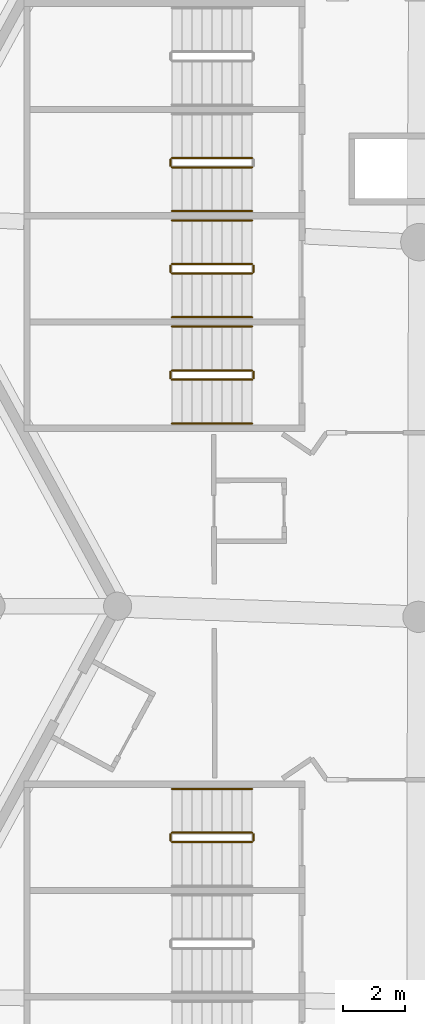
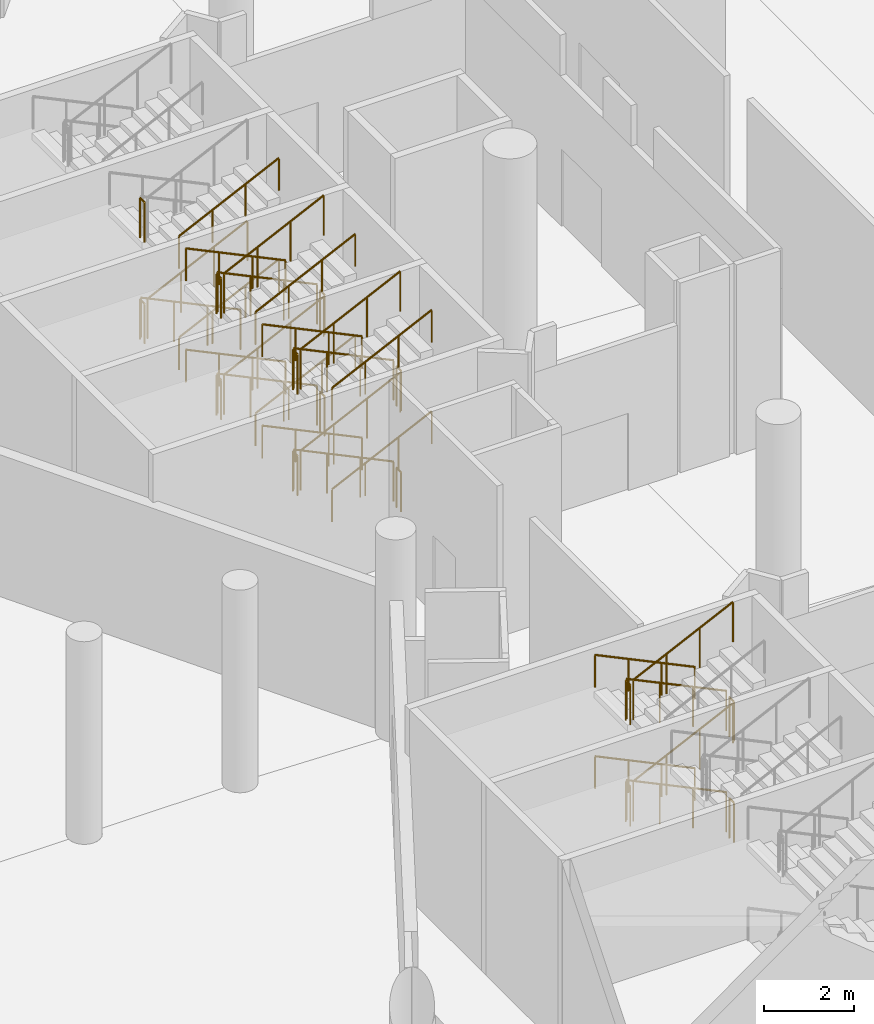
# One storey, part 249 of 271: 40 railings.
"""IFC4 building model written with IfcOpenShell, lengths in metres."""

from ifc_helpers import new_model, si_unit, direction, frame, origin, origin_2d, place, context, subcontext, project, spatial, circle, extrude, material, type_object, element, save


model = new_model("IFC4")

# Units and contexts
model_context = context("Model", 3, precision=1e-05, world=origin(), true_north=direction((0.0, 1.0)))
body_context = subcontext(model_context, "Body", "Model", "MODEL_VIEW")
ifc_project = project(units=[si_unit("LENGTHUNIT", "METRE"), si_unit("AREAUNIT", "SQUARE_METRE"), si_unit("VOLUMEUNIT", "CUBIC_METRE"), si_unit("PLANEANGLEUNIT", "RADIAN"), si_unit("MASSUNIT", "GRAM", prefix="KILO")], contexts=[model_context])

# Site, building, storey
site_placement = place(None, origin())
site = spatial("IfcSite", under=ifc_project, at=site_placement, CompositionType="ELEMENT")
building_placement = place(site_placement, origin())
building = spatial("IfcBuilding", under=site, at=building_placement, Name="Meseta Stadium", CompositionType="ELEMENT")
storey_placement = place(building_placement, frame((0.0, 0.0, 6.5)))
storey = spatial("IfcBuildingStorey", under=building, at=storey_placement, Name="L01", CompositionType="ELEMENT", Elevation=6.5)

# Railings
ifc_material_1 = material(Name="Steel S355", Category="steel")
railing_type_1 = type_object("IfcRailingType", Name="Stair guard 1100", PredefinedType="GUARDRAIL", material=ifc_material_1)
railing_1_placement = place(storey_placement, frame((-90.300048828125, 33.10009765625, 0.15283203125)))
element("IfcRailing", 1, at=railing_1_placement, inside=storey, type_object=railing_type_1, Name="ST62 L01 guard 1", PredefinedType="GUARDRAIL", context=body_context, shape_type="SweptSolid", body=[
    extrude(circle(Radius=0.02392578125, at=origin_2d()), frame((0.0, 0.0, 1.076171875), z_axis=(-0.902436934422, 0.0, 0.430821981091), x_axis=(0.0, -1.0, 0.0)), (0.0, 0.0, 1.0), 2.8369140625),
    extrude(circle(Radius=0.02099609375, at=origin_2d()), origin(), (0.0, 0.0, 1.0), 1.052001953125),
    extrude(circle(Radius=0.02099609375, at=origin_2d()), frame((-0.853271484375, 0.0, 0.407470703125)), (0.0, 0.0, 1.0), 1.052001953125),
    extrude(circle(Radius=0.02099609375, at=origin_2d()), frame((-1.706787109375, 0.0, 0.814697265625)), (0.0, 0.0, 1.0), 1.052001953125),
    extrude(circle(Radius=0.02099609375, at=origin_2d()), frame((-2.56005859375, 0.0, 1.22216796875)), (0.0, 0.0, 1.0), 1.052001953125),
])
railing_2_placement = place(storey_placement, frame((-92.909912109375, 33.050048828125, 1.375)))
element("IfcRailing", 2, at=railing_2_placement, inside=storey, type_object=railing_type_1, Name="ST62 L01 guard 2", PredefinedType="GUARDRAIL", context=body_context, shape_type="SweptSolid", body=[
    extrude(circle(Radius=0.02392578125, at=origin_2d()), frame((0.0, 0.0, 1.076171875), z_axis=(0.0, -1.0, 0.0), x_axis=(1.0, 0.0, 0.0)), (0.0, 0.0, 1.0), 0.199951171875),
    extrude(circle(Radius=0.02099609375, at=origin_2d()), origin(), (0.0, 0.0, 1.0), 1.052001953125),
    extrude(circle(Radius=0.02099609375, at=origin_2d()), frame((0.0, -0.199951171875, 0.0)), (0.0, 0.0, 1.0), 1.052001953125),
])
railing_3_placement = place(storey_placement, frame((-92.860107421875, 32.800048828125, 1.52783203125)))
element("IfcRailing", 3, at=railing_3_placement, inside=storey, type_object=railing_type_1, Name="ST62 L01 guard 3", PredefinedType="GUARDRAIL", context=body_context, shape_type="SweptSolid", body=[
    extrude(circle(Radius=0.02392578125, at=origin_2d()), frame((0.0, 0.0, 1.076171875), z_axis=(0.902436934422, 0.0, 0.430821981091), x_axis=(0.0, 1.0, 0.0)), (0.0, 0.0, 1.0), 2.8369140625),
    extrude(circle(Radius=0.02099609375, at=origin_2d()), origin(), (0.0, 0.0, 1.0), 1.052001953125),
    extrude(circle(Radius=0.02099609375, at=origin_2d()), frame((0.853271484375, 0.0, 0.407470703125)), (0.0, 0.0, 1.0), 1.052001953125),
    extrude(circle(Radius=0.02099609375, at=origin_2d()), frame((1.706787109375, 0.0, 0.814697265625)), (0.0, 0.0, 1.0), 1.052001953125),
    extrude(circle(Radius=0.02099609375, at=origin_2d()), frame((2.56005859375, 0.0, 1.22216796875)), (0.0, 0.0, 1.0), 1.052001953125),
])
railing_4_placement = place(storey_placement, frame((-92.909912109375, 33.050048828125, 4.125)))
element("IfcRailing", 4, at=railing_4_placement, inside=storey, type_object=railing_type_1, Name="ST62 L01 guard 6", PredefinedType="GUARDRAIL", context=body_context, shape_type="SweptSolid", body=[
    extrude(circle(Radius=0.02392578125, at=origin_2d()), frame((0.0, 0.0, 1.076171875), z_axis=(0.0, -1.0, 0.0), x_axis=(1.0, 0.0, 0.0)), (0.0, 0.0, 1.0), 0.199951171875),
    extrude(circle(Radius=0.02099609375, at=origin_2d()), origin(), (0.0, 0.0, 1.0), 1.052001953125),
    extrude(circle(Radius=0.02099609375, at=origin_2d()), frame((0.0, -0.199951171875, 0.0)), (0.0, 0.0, 1.0), 1.052001953125),
])
railing_5_placement = place(storey_placement, frame((-90.300048828125, 29.699951171875, 0.15283203125)))
element("IfcRailing", 5, at=railing_5_placement, inside=storey, type_object=railing_type_1, Name="ST63 L01 guard 1", PredefinedType="GUARDRAIL", context=body_context, shape_type="SweptSolid", body=[
    extrude(circle(Radius=0.02392578125, at=origin_2d()), frame((0.0, 0.0, 1.076171875), z_axis=(-0.902436934422, 0.0, 0.430821981091), x_axis=(0.0, -1.0, 0.0)), (0.0, 0.0, 1.0), 2.8369140625),
    extrude(circle(Radius=0.02099609375, at=origin_2d()), origin(), (0.0, 0.0, 1.0), 1.052001953125),
    extrude(circle(Radius=0.02099609375, at=origin_2d()), frame((-0.853271484375, 0.0, 0.407470703125)), (0.0, 0.0, 1.0), 1.052001953125),
    extrude(circle(Radius=0.02099609375, at=origin_2d()), frame((-1.706787109375, 0.0, 0.814697265625)), (0.0, 0.0, 1.0), 1.052001953125),
    extrude(circle(Radius=0.02099609375, at=origin_2d()), frame((-2.56005859375, 0.0, 1.22216796875)), (0.0, 0.0, 1.0), 1.052001953125),
])
railing_6_placement = place(storey_placement, frame((-92.909912109375, 29.64990234375, 1.375)))
element("IfcRailing", 6, at=railing_6_placement, inside=storey, type_object=railing_type_1, Name="ST63 L01 guard 2", PredefinedType="GUARDRAIL", context=body_context, shape_type="SweptSolid", body=[
    extrude(circle(Radius=0.02392578125, at=origin_2d()), frame((0.0, 0.0, 1.076171875), z_axis=(0.0, -1.0, 0.0), x_axis=(1.0, 0.0, 0.0)), (0.0, 0.0, 1.0), 0.199951171875),
    extrude(circle(Radius=0.02099609375, at=origin_2d()), origin(), (0.0, 0.0, 1.0), 1.052001953125),
    extrude(circle(Radius=0.02099609375, at=origin_2d()), frame((0.0, -0.199951171875, 0.0)), (0.0, 0.0, 1.0), 1.052001953125),
])
railing_7_placement = place(storey_placement, frame((-92.860107421875, 29.39990234375, 1.52783203125)))
element("IfcRailing", 7, at=railing_7_placement, inside=storey, type_object=railing_type_1, Name="ST63 L01 guard 3", PredefinedType="GUARDRAIL", context=body_context, shape_type="SweptSolid", body=[
    extrude(circle(Radius=0.02392578125, at=origin_2d()), frame((0.0, 0.0, 1.076171875), z_axis=(0.902436934422, 0.0, 0.430821981091), x_axis=(0.0, 1.0, 0.0)), (0.0, 0.0, 1.0), 2.8369140625),
    extrude(circle(Radius=0.02099609375, at=origin_2d()), origin(), (0.0, 0.0, 1.0), 1.052001953125),
    extrude(circle(Radius=0.02099609375, at=origin_2d()), frame((0.853271484375, 0.0, 0.407470703125)), (0.0, 0.0, 1.0), 1.052001953125),
    extrude(circle(Radius=0.02099609375, at=origin_2d()), frame((1.706787109375, 0.0, 0.814697265625)), (0.0, 0.0, 1.0), 1.052001953125),
    extrude(circle(Radius=0.02099609375, at=origin_2d()), frame((2.56005859375, 0.0, 1.22216796875)), (0.0, 0.0, 1.0), 1.052001953125),
])
railing_8_placement = place(storey_placement, frame((-90.25, 29.64990234375, 2.75)))
element("IfcRailing", 8, at=railing_8_placement, inside=storey, type_object=railing_type_1, Name="ST63 L01 guard 4", PredefinedType="GUARDRAIL", context=body_context, shape_type="SweptSolid", body=[
    extrude(circle(Radius=0.02392578125, at=origin_2d()), frame((0.0, 0.0, 1.076171875), z_axis=(0.0, -1.0, 0.0), x_axis=(1.0, 0.0, 0.0)), (0.0, 0.0, 1.0), 0.199951171875),
    extrude(circle(Radius=0.02099609375, at=origin_2d()), origin(), (0.0, 0.0, 1.0), 1.052001953125),
    extrude(circle(Radius=0.02099609375, at=origin_2d()), frame((0.0, -0.199951171875, 0.0)), (0.0, 0.0, 1.0), 1.052001953125),
])
railing_9_placement = place(storey_placement, frame((-90.300048828125, 29.699951171875, 2.90283203125)))
element("IfcRailing", 9, at=railing_9_placement, inside=storey, type_object=railing_type_1, Name="ST63 L01 guard 5", PredefinedType="GUARDRAIL", context=body_context, shape_type="SweptSolid", body=[
    extrude(circle(Radius=0.02392578125, at=origin_2d()), frame((0.0, 0.0, 1.076171875), z_axis=(-0.902436934422, 0.0, 0.430821981091), x_axis=(0.0, -1.0, 0.0)), (0.0, 0.0, 1.0), 2.8369140625),
    extrude(circle(Radius=0.02099609375, at=origin_2d()), origin(), (0.0, 0.0, 1.0), 1.052001953125),
    extrude(circle(Radius=0.02099609375, at=origin_2d()), frame((-0.853271484375, 0.0, 0.407470703125)), (0.0, 0.0, 1.0), 1.052001953125),
    extrude(circle(Radius=0.02099609375, at=origin_2d()), frame((-1.706787109375, 0.0, 0.814697265625)), (0.0, 0.0, 1.0), 1.052001953125),
    extrude(circle(Radius=0.02099609375, at=origin_2d()), frame((-2.56005859375, 0.0, 1.22216796875)), (0.0, 0.0, 1.0), 1.052001953125),
])
railing_10_placement = place(storey_placement, frame((-92.909912109375, 29.64990234375, 4.125)))
element("IfcRailing", 10, at=railing_10_placement, inside=storey, type_object=railing_type_1, Name="ST63 L01 guard 6", PredefinedType="GUARDRAIL", context=body_context, shape_type="SweptSolid", body=[
    extrude(circle(Radius=0.02392578125, at=origin_2d()), frame((0.0, 0.0, 1.076171875), z_axis=(0.0, -1.0, 0.0), x_axis=(1.0, 0.0, 0.0)), (0.0, 0.0, 1.0), 0.199951171875),
    extrude(circle(Radius=0.02099609375, at=origin_2d()), origin(), (0.0, 0.0, 1.0), 1.052001953125),
    extrude(circle(Radius=0.02099609375, at=origin_2d()), frame((0.0, -0.199951171875, 0.0)), (0.0, 0.0, 1.0), 1.052001953125),
])
railing_11_placement = place(storey_placement, frame((-92.860107421875, 29.39990234375, 4.27783203125)))
element("IfcRailing", 11, at=railing_11_placement, inside=storey, type_object=railing_type_1, Name="ST63 L01 guard 7", PredefinedType="GUARDRAIL", context=body_context, shape_type="SweptSolid", body=[
    extrude(circle(Radius=0.02392578125, at=origin_2d()), frame((0.0, 0.0, 1.076171875), z_axis=(0.902436934422, 0.0, 0.430821981091), x_axis=(0.0, 1.0, 0.0)), (0.0, 0.0, 1.0), 2.8369140625),
    extrude(circle(Radius=0.02099609375, at=origin_2d()), origin(), (0.0, 0.0, 1.0), 1.052001953125),
    extrude(circle(Radius=0.02099609375, at=origin_2d()), frame((0.853271484375, 0.0, 0.407470703125)), (0.0, 0.0, 1.0), 1.052001953125),
    extrude(circle(Radius=0.02099609375, at=origin_2d()), frame((1.706787109375, 0.0, 0.814697265625)), (0.0, 0.0, 1.0), 1.052001953125),
    extrude(circle(Radius=0.02099609375, at=origin_2d()), frame((2.56005859375, 0.0, 1.22216796875)), (0.0, 0.0, 1.0), 1.052001953125),
])
railing_12_placement = place(storey_placement, frame((-90.25, 29.64990234375, 0.0)))
element("IfcRailing", 12, at=railing_12_placement, inside=storey, type_object=railing_type_1, Name="ST63 L01 guard 8", PredefinedType="GUARDRAIL", context=body_context, shape_type="SweptSolid", body=[
    extrude(circle(Radius=0.02392578125, at=origin_2d()), frame((0.0, 0.0, 1.076171875), z_axis=(0.0, -1.0, 0.0), x_axis=(1.0, 0.0, 0.0)), (0.0, 0.0, 1.0), 0.199951171875),
    extrude(circle(Radius=0.02099609375, at=origin_2d()), origin(), (0.0, 0.0, 1.0), 1.052001953125),
    extrude(circle(Radius=0.02099609375, at=origin_2d()), frame((0.0, -0.199951171875, 0.0)), (0.0, 0.0, 1.0), 1.052001953125),
])
railing_13_placement = place(storey_placement, frame((-90.300048828125, 26.300048828125, 0.15283203125)))
element("IfcRailing", 13, at=railing_13_placement, inside=storey, type_object=railing_type_1, Name="ST64 L01 guard 1", PredefinedType="GUARDRAIL", context=body_context, shape_type="SweptSolid", body=[
    extrude(circle(Radius=0.02392578125, at=origin_2d()), frame((0.0, 0.0, 1.076171875), z_axis=(-0.902436934422, 0.0, 0.430821981091), x_axis=(0.0, -1.0, 0.0)), (0.0, 0.0, 1.0), 2.8369140625),
    extrude(circle(Radius=0.02099609375, at=origin_2d()), origin(), (0.0, 0.0, 1.0), 1.052001953125),
    extrude(circle(Radius=0.02099609375, at=origin_2d()), frame((-0.853271484375, 0.0, 0.407470703125)), (0.0, 0.0, 1.0), 1.052001953125),
    extrude(circle(Radius=0.02099609375, at=origin_2d()), frame((-1.706787109375, 0.0, 0.814697265625)), (0.0, 0.0, 1.0), 1.052001953125),
    extrude(circle(Radius=0.02099609375, at=origin_2d()), frame((-2.56005859375, 0.0, 1.22216796875)), (0.0, 0.0, 1.0), 1.052001953125),
])
railing_14_placement = place(storey_placement, frame((-92.909912109375, 26.25, 1.375)))
element("IfcRailing", 14, at=railing_14_placement, inside=storey, type_object=railing_type_1, Name="ST64 L01 guard 2", PredefinedType="GUARDRAIL", context=body_context, shape_type="SweptSolid", body=[
    extrude(circle(Radius=0.02392578125, at=origin_2d()), frame((0.0, 0.0, 1.076171875), z_axis=(0.0, -1.0, 0.0), x_axis=(1.0, 0.0, 0.0)), (0.0, 0.0, 1.0), 0.199951171875),
    extrude(circle(Radius=0.02099609375, at=origin_2d()), origin(), (0.0, 0.0, 1.0), 1.052001953125),
    extrude(circle(Radius=0.02099609375, at=origin_2d()), frame((0.0, -0.199951171875, 0.0)), (0.0, 0.0, 1.0), 1.052001953125),
])
railing_15_placement = place(storey_placement, frame((-92.860107421875, 26.0, 1.52783203125)))
element("IfcRailing", 15, at=railing_15_placement, inside=storey, type_object=railing_type_1, Name="ST64 L01 guard 3", PredefinedType="GUARDRAIL", context=body_context, shape_type="SweptSolid", body=[
    extrude(circle(Radius=0.02392578125, at=origin_2d()), frame((0.0, 0.0, 1.076171875), z_axis=(0.902436934422, 0.0, 0.430821981091), x_axis=(0.0, 1.0, 0.0)), (0.0, 0.0, 1.0), 2.8369140625),
    extrude(circle(Radius=0.02099609375, at=origin_2d()), origin(), (0.0, 0.0, 1.0), 1.052001953125),
    extrude(circle(Radius=0.02099609375, at=origin_2d()), frame((0.853271484375, 0.0, 0.407470703125)), (0.0, 0.0, 1.0), 1.052001953125),
    extrude(circle(Radius=0.02099609375, at=origin_2d()), frame((1.706787109375, 0.0, 0.814697265625)), (0.0, 0.0, 1.0), 1.052001953125),
    extrude(circle(Radius=0.02099609375, at=origin_2d()), frame((2.56005859375, 0.0, 1.22216796875)), (0.0, 0.0, 1.0), 1.052001953125),
])
railing_16_placement = place(storey_placement, frame((-90.25, 26.25, 2.75)))
element("IfcRailing", 16, at=railing_16_placement, inside=storey, type_object=railing_type_1, Name="ST64 L01 guard 4", PredefinedType="GUARDRAIL", context=body_context, shape_type="SweptSolid", body=[
    extrude(circle(Radius=0.02392578125, at=origin_2d()), frame((0.0, 0.0, 1.076171875), z_axis=(0.0, -1.0, 0.0), x_axis=(1.0, 0.0, 0.0)), (0.0, 0.0, 1.0), 0.199951171875),
    extrude(circle(Radius=0.02099609375, at=origin_2d()), origin(), (0.0, 0.0, 1.0), 1.052001953125),
    extrude(circle(Radius=0.02099609375, at=origin_2d()), frame((0.0, -0.199951171875, 0.0)), (0.0, 0.0, 1.0), 1.052001953125),
])
railing_17_placement = place(storey_placement, frame((-90.300048828125, 26.300048828125, 2.90283203125)))
element("IfcRailing", 17, at=railing_17_placement, inside=storey, type_object=railing_type_1, Name="ST64 L01 guard 5", PredefinedType="GUARDRAIL", context=body_context, shape_type="SweptSolid", body=[
    extrude(circle(Radius=0.02392578125, at=origin_2d()), frame((0.0, 0.0, 1.076171875), z_axis=(-0.902436934422, 0.0, 0.430821981091), x_axis=(0.0, -1.0, 0.0)), (0.0, 0.0, 1.0), 2.8369140625),
    extrude(circle(Radius=0.02099609375, at=origin_2d()), origin(), (0.0, 0.0, 1.0), 1.052001953125),
    extrude(circle(Radius=0.02099609375, at=origin_2d()), frame((-0.853271484375, 0.0, 0.407470703125)), (0.0, 0.0, 1.0), 1.052001953125),
    extrude(circle(Radius=0.02099609375, at=origin_2d()), frame((-1.706787109375, 0.0, 0.814697265625)), (0.0, 0.0, 1.0), 1.052001953125),
    extrude(circle(Radius=0.02099609375, at=origin_2d()), frame((-2.56005859375, 0.0, 1.22216796875)), (0.0, 0.0, 1.0), 1.052001953125),
])
railing_18_placement = place(storey_placement, frame((-92.909912109375, 26.25, 4.125)))
element("IfcRailing", 18, at=railing_18_placement, inside=storey, type_object=railing_type_1, Name="ST64 L01 guard 6", PredefinedType="GUARDRAIL", context=body_context, shape_type="SweptSolid", body=[
    extrude(circle(Radius=0.02392578125, at=origin_2d()), frame((0.0, 0.0, 1.076171875), z_axis=(0.0, -1.0, 0.0), x_axis=(1.0, 0.0, 0.0)), (0.0, 0.0, 1.0), 0.199951171875),
    extrude(circle(Radius=0.02099609375, at=origin_2d()), origin(), (0.0, 0.0, 1.0), 1.052001953125),
    extrude(circle(Radius=0.02099609375, at=origin_2d()), frame((0.0, -0.199951171875, 0.0)), (0.0, 0.0, 1.0), 1.052001953125),
])
railing_19_placement = place(storey_placement, frame((-92.860107421875, 26.0, 4.27783203125)))
element("IfcRailing", 19, at=railing_19_placement, inside=storey, type_object=railing_type_1, Name="ST64 L01 guard 7", PredefinedType="GUARDRAIL", context=body_context, shape_type="SweptSolid", body=[
    extrude(circle(Radius=0.02392578125, at=origin_2d()), frame((0.0, 0.0, 1.076171875), z_axis=(0.902436934422, 0.0, 0.430821981091), x_axis=(0.0, 1.0, 0.0)), (0.0, 0.0, 1.0), 2.8369140625),
    extrude(circle(Radius=0.02099609375, at=origin_2d()), origin(), (0.0, 0.0, 1.0), 1.052001953125),
    extrude(circle(Radius=0.02099609375, at=origin_2d()), frame((0.853271484375, 0.0, 0.407470703125)), (0.0, 0.0, 1.0), 1.052001953125),
    extrude(circle(Radius=0.02099609375, at=origin_2d()), frame((1.706787109375, 0.0, 0.814697265625)), (0.0, 0.0, 1.0), 1.052001953125),
    extrude(circle(Radius=0.02099609375, at=origin_2d()), frame((2.56005859375, 0.0, 1.22216796875)), (0.0, 0.0, 1.0), 1.052001953125),
])
railing_20_placement = place(storey_placement, frame((-90.25, 26.25, 0.0)))
element("IfcRailing", 20, at=railing_20_placement, inside=storey, type_object=railing_type_1, Name="ST64 L01 guard 8", PredefinedType="GUARDRAIL", context=body_context, shape_type="SweptSolid", body=[
    extrude(circle(Radius=0.02392578125, at=origin_2d()), frame((0.0, 0.0, 1.076171875), z_axis=(0.0, -1.0, 0.0), x_axis=(1.0, 0.0, 0.0)), (0.0, 0.0, 1.0), 0.199951171875),
    extrude(circle(Radius=0.02099609375, at=origin_2d()), origin(), (0.0, 0.0, 1.0), 1.052001953125),
    extrude(circle(Radius=0.02099609375, at=origin_2d()), frame((0.0, -0.199951171875, 0.0)), (0.0, 0.0, 1.0), 1.052001953125),
])
railing_21_placement = place(storey_placement, frame((-90.300048828125, 11.5, 0.15283203125)))
element("IfcRailing", 21, at=railing_21_placement, inside=storey, type_object=railing_type_1, Name="ST65 L01 guard 1", PredefinedType="GUARDRAIL", context=body_context, shape_type="SweptSolid", body=[
    extrude(circle(Radius=0.02392578125, at=origin_2d()), frame((0.0, 0.0, 1.076171875), z_axis=(-0.902436934422, 0.0, 0.430821981091), x_axis=(0.0, -1.0, 0.0)), (0.0, 0.0, 1.0), 2.8369140625),
    extrude(circle(Radius=0.02099609375, at=origin_2d()), origin(), (0.0, 0.0, 1.0), 1.052001953125),
    extrude(circle(Radius=0.02099609375, at=origin_2d()), frame((-0.853271484375, 0.0, 0.407470703125)), (0.0, 0.0, 1.0), 1.052001953125),
    extrude(circle(Radius=0.02099609375, at=origin_2d()), frame((-1.706787109375, 0.0, 0.814697265625)), (0.0, 0.0, 1.0), 1.052001953125),
    extrude(circle(Radius=0.02099609375, at=origin_2d()), frame((-2.56005859375, 0.0, 1.22216796875)), (0.0, 0.0, 1.0), 1.052001953125),
])
railing_22_placement = place(storey_placement, frame((-92.909912109375, 11.449951171875, 1.375)))
element("IfcRailing", 22, at=railing_22_placement, inside=storey, type_object=railing_type_1, Name="ST65 L01 guard 2", PredefinedType="GUARDRAIL", context=body_context, shape_type="SweptSolid", body=[
    extrude(circle(Radius=0.02392578125, at=origin_2d()), frame((0.0, 0.0, 1.076171875), z_axis=(0.0, -1.0, 0.0), x_axis=(1.0, 0.0, 0.0)), (0.0, 0.0, 1.0), 0.199951171875),
    extrude(circle(Radius=0.02099609375, at=origin_2d()), origin(), (0.0, 0.0, 1.0), 1.052001953125),
    extrude(circle(Radius=0.02099609375, at=origin_2d()), frame((0.0, -0.199951171875, 0.0)), (0.0, 0.0, 1.0), 1.052001953125),
])
railing_23_placement = place(storey_placement, frame((-92.860107421875, 11.199951171875, 1.52783203125)))
element("IfcRailing", 23, at=railing_23_placement, inside=storey, type_object=railing_type_1, Name="ST65 L01 guard 3", PredefinedType="GUARDRAIL", context=body_context, shape_type="SweptSolid", body=[
    extrude(circle(Radius=0.02392578125, at=origin_2d()), frame((0.0, 0.0, 1.076171875), z_axis=(0.902436934422, 0.0, 0.430821981091), x_axis=(0.0, 1.0, 0.0)), (0.0, 0.0, 1.0), 2.8369140625),
    extrude(circle(Radius=0.02099609375, at=origin_2d()), origin(), (0.0, 0.0, 1.0), 1.052001953125),
    extrude(circle(Radius=0.02099609375, at=origin_2d()), frame((0.853271484375, 0.0, 0.407470703125)), (0.0, 0.0, 1.0), 1.052001953125),
    extrude(circle(Radius=0.02099609375, at=origin_2d()), frame((1.706787109375, 0.0, 0.814697265625)), (0.0, 0.0, 1.0), 1.052001953125),
    extrude(circle(Radius=0.02099609375, at=origin_2d()), frame((2.56005859375, 0.0, 1.22216796875)), (0.0, 0.0, 1.0), 1.052001953125),
])
railing_24_placement = place(storey_placement, frame((-90.25, 11.449951171875, 2.75)))
element("IfcRailing", 24, at=railing_24_placement, inside=storey, type_object=railing_type_1, Name="ST65 L01 guard 4", PredefinedType="GUARDRAIL", context=body_context, shape_type="SweptSolid", body=[
    extrude(circle(Radius=0.02392578125, at=origin_2d()), frame((0.0, 0.0, 1.076171875), z_axis=(0.0, -1.0, 0.0), x_axis=(1.0, 0.0, 0.0)), (0.0, 0.0, 1.0), 0.199951171875),
    extrude(circle(Radius=0.02099609375, at=origin_2d()), origin(), (0.0, 0.0, 1.0), 1.052001953125),
    extrude(circle(Radius=0.02099609375, at=origin_2d()), frame((0.0, -0.199951171875, 0.0)), (0.0, 0.0, 1.0), 1.052001953125),
])
railing_25_placement = place(storey_placement, frame((-90.300048828125, 11.5, 2.90283203125)))
element("IfcRailing", 25, at=railing_25_placement, inside=storey, type_object=railing_type_1, Name="ST65 L01 guard 5", PredefinedType="GUARDRAIL", context=body_context, shape_type="SweptSolid", body=[
    extrude(circle(Radius=0.02392578125, at=origin_2d()), frame((0.0, 0.0, 1.076171875), z_axis=(-0.902436934422, 0.0, 0.430821981091), x_axis=(0.0, -1.0, 0.0)), (0.0, 0.0, 1.0), 2.8369140625),
    extrude(circle(Radius=0.02099609375, at=origin_2d()), origin(), (0.0, 0.0, 1.0), 1.052001953125),
    extrude(circle(Radius=0.02099609375, at=origin_2d()), frame((-0.853271484375, 0.0, 0.407470703125)), (0.0, 0.0, 1.0), 1.052001953125),
    extrude(circle(Radius=0.02099609375, at=origin_2d()), frame((-1.706787109375, 0.0, 0.814697265625)), (0.0, 0.0, 1.0), 1.052001953125),
    extrude(circle(Radius=0.02099609375, at=origin_2d()), frame((-2.56005859375, 0.0, 1.22216796875)), (0.0, 0.0, 1.0), 1.052001953125),
])
railing_26_placement = place(storey_placement, frame((-92.909912109375, 11.449951171875, 4.125)))
element("IfcRailing", 26, at=railing_26_placement, inside=storey, type_object=railing_type_1, Name="ST65 L01 guard 6", PredefinedType="GUARDRAIL", context=body_context, shape_type="SweptSolid", body=[
    extrude(circle(Radius=0.02392578125, at=origin_2d()), frame((0.0, 0.0, 1.076171875), z_axis=(0.0, -1.0, 0.0), x_axis=(1.0, 0.0, 0.0)), (0.0, 0.0, 1.0), 0.199951171875),
    extrude(circle(Radius=0.02099609375, at=origin_2d()), origin(), (0.0, 0.0, 1.0), 1.052001953125),
    extrude(circle(Radius=0.02099609375, at=origin_2d()), frame((0.0, -0.199951171875, 0.0)), (0.0, 0.0, 1.0), 1.052001953125),
])
railing_27_placement = place(storey_placement, frame((-92.860107421875, 11.199951171875, 4.27783203125)))
element("IfcRailing", 27, at=railing_27_placement, inside=storey, type_object=railing_type_1, Name="ST65 L01 guard 7", PredefinedType="GUARDRAIL", context=body_context, shape_type="SweptSolid", body=[
    extrude(circle(Radius=0.02392578125, at=origin_2d()), frame((0.0, 0.0, 1.076171875), z_axis=(0.902436934422, 0.0, 0.430821981091), x_axis=(0.0, 1.0, 0.0)), (0.0, 0.0, 1.0), 2.8369140625),
    extrude(circle(Radius=0.02099609375, at=origin_2d()), origin(), (0.0, 0.0, 1.0), 1.052001953125),
    extrude(circle(Radius=0.02099609375, at=origin_2d()), frame((0.853271484375, 0.0, 0.407470703125)), (0.0, 0.0, 1.0), 1.052001953125),
    extrude(circle(Radius=0.02099609375, at=origin_2d()), frame((1.706787109375, 0.0, 0.814697265625)), (0.0, 0.0, 1.0), 1.052001953125),
    extrude(circle(Radius=0.02099609375, at=origin_2d()), frame((2.56005859375, 0.0, 1.22216796875)), (0.0, 0.0, 1.0), 1.052001953125),
])
railing_28_placement = place(storey_placement, frame((-90.25, 11.449951171875, 0.0)))
element("IfcRailing", 28, at=railing_28_placement, inside=storey, type_object=railing_type_1, Name="ST65 L01 guard 8", PredefinedType="GUARDRAIL", context=body_context, shape_type="SweptSolid", body=[
    extrude(circle(Radius=0.02392578125, at=origin_2d()), frame((0.0, 0.0, 1.076171875), z_axis=(0.0, -1.0, 0.0), x_axis=(1.0, 0.0, 0.0)), (0.0, 0.0, 1.0), 0.199951171875),
    extrude(circle(Radius=0.02099609375, at=origin_2d()), origin(), (0.0, 0.0, 1.0), 1.052001953125),
    extrude(circle(Radius=0.02099609375, at=origin_2d()), frame((0.0, -0.199951171875, 0.0)), (0.0, 0.0, 1.0), 1.052001953125),
])
ifc_material_2 = material(Name="Steel S355", Category="steel")
railing_type_2 = type_object("IfcRailingType", Name="Stair handrail 900", PredefinedType="HANDRAIL", material=ifc_material_2)
for number, where, name in (
    (29, (-92.860107421875, 31.39990234375, 1.52783203125), "ST62 L01 handrail 2"),
    (30, (-92.860107421875, 31.39990234375, 4.27783203125), "ST62 L01 handrail 4"),
):
    element("IfcRailing", number, at=place(storey_placement, frame(where)), inside=storey, type_object=railing_type_2, Name=name, PredefinedType="HANDRAIL", context=body_context, shape_type="SweptSolid", body=[
        extrude(circle(Radius=0.02392578125, at=origin_2d()), frame((0.0, 0.0, 0.8759765625), z_axis=(0.902436934422, 0.0, 0.430821981091), x_axis=(0.0, 1.0, 0.0)), (0.0, 0.0, 1.0), 2.8369140625),
        extrude(circle(Radius=0.02099609375, at=origin_2d()), origin(), (0.0, 0.0, 1.0), 0.851806640625),
        extrude(circle(Radius=0.02099609375, at=origin_2d()), frame((0.853271484375, 0.0, 0.407470703125)), (0.0, 0.0, 1.0), 0.851806640625),
        extrude(circle(Radius=0.02099609375, at=origin_2d()), frame((1.706787109375, 0.0, 0.814697265625)), (0.0, 0.0, 1.0), 0.851806640625),
        extrude(circle(Radius=0.02099609375, at=origin_2d()), frame((2.56005859375, 0.0, 1.22216796875)), (0.0, 0.0, 1.0), 0.851806640625),
    ])
railing_29_placement = place(storey_placement, frame((-90.300048828125, 31.10009765625, 0.15283203125)))
element("IfcRailing", 31, at=railing_29_placement, inside=storey, type_object=railing_type_2, Name="ST63 L01 handrail 1", PredefinedType="HANDRAIL", context=body_context, shape_type="SweptSolid", body=[
    extrude(circle(Radius=0.02392578125, at=origin_2d()), frame((0.0, 0.0, 0.8759765625), z_axis=(-0.902436934422, 0.0, 0.430821981091), x_axis=(0.0, -1.0, 0.0)), (0.0, 0.0, 1.0), 2.8369140625),
    extrude(circle(Radius=0.02099609375, at=origin_2d()), origin(), (0.0, 0.0, 1.0), 0.851806640625),
    extrude(circle(Radius=0.02099609375, at=origin_2d()), frame((-0.853271484375, 0.0, 0.407470703125)), (0.0, 0.0, 1.0), 0.851806640625),
    extrude(circle(Radius=0.02099609375, at=origin_2d()), frame((-1.706787109375, 0.0, 0.814697265625)), (0.0, 0.0, 1.0), 0.851806640625),
    extrude(circle(Radius=0.02099609375, at=origin_2d()), frame((-2.56005859375, 0.0, 1.22216796875)), (0.0, 0.0, 1.0), 0.851806640625),
])
railing_30_placement = place(storey_placement, frame((-92.860107421875, 28.0, 1.52783203125)))
element("IfcRailing", 32, at=railing_30_placement, inside=storey, type_object=railing_type_2, Name="ST63 L01 handrail 2", PredefinedType="HANDRAIL", context=body_context, shape_type="SweptSolid", body=[
    extrude(circle(Radius=0.02392578125, at=origin_2d()), frame((0.0, 0.0, 0.8759765625), z_axis=(0.902436934422, 0.0, 0.430821981091), x_axis=(0.0, 1.0, 0.0)), (0.0, 0.0, 1.0), 2.8369140625),
    extrude(circle(Radius=0.02099609375, at=origin_2d()), origin(), (0.0, 0.0, 1.0), 0.851806640625),
    extrude(circle(Radius=0.02099609375, at=origin_2d()), frame((0.853271484375, 0.0, 0.407470703125)), (0.0, 0.0, 1.0), 0.851806640625),
    extrude(circle(Radius=0.02099609375, at=origin_2d()), frame((1.706787109375, 0.0, 0.814697265625)), (0.0, 0.0, 1.0), 0.851806640625),
    extrude(circle(Radius=0.02099609375, at=origin_2d()), frame((2.56005859375, 0.0, 1.22216796875)), (0.0, 0.0, 1.0), 0.851806640625),
])
railing_31_placement = place(storey_placement, frame((-90.300048828125, 31.10009765625, 2.90283203125)))
element("IfcRailing", 33, at=railing_31_placement, inside=storey, type_object=railing_type_2, Name="ST63 L01 handrail 3", PredefinedType="HANDRAIL", context=body_context, shape_type="SweptSolid", body=[
    extrude(circle(Radius=0.02392578125, at=origin_2d()), frame((0.0, 0.0, 0.8759765625), z_axis=(-0.902436934422, 0.0, 0.430821981091), x_axis=(0.0, -1.0, 0.0)), (0.0, 0.0, 1.0), 2.8369140625),
    extrude(circle(Radius=0.02099609375, at=origin_2d()), origin(), (0.0, 0.0, 1.0), 0.851806640625),
    extrude(circle(Radius=0.02099609375, at=origin_2d()), frame((-0.853271484375, 0.0, 0.407470703125)), (0.0, 0.0, 1.0), 0.851806640625),
    extrude(circle(Radius=0.02099609375, at=origin_2d()), frame((-1.706787109375, 0.0, 0.814697265625)), (0.0, 0.0, 1.0), 0.851806640625),
    extrude(circle(Radius=0.02099609375, at=origin_2d()), frame((-2.56005859375, 0.0, 1.22216796875)), (0.0, 0.0, 1.0), 0.851806640625),
])
railing_32_placement = place(storey_placement, frame((-92.860107421875, 28.0, 4.27783203125)))
element("IfcRailing", 34, at=railing_32_placement, inside=storey, type_object=railing_type_2, Name="ST63 L01 handrail 4", PredefinedType="HANDRAIL", context=body_context, shape_type="SweptSolid", body=[
    extrude(circle(Radius=0.02392578125, at=origin_2d()), frame((0.0, 0.0, 0.8759765625), z_axis=(0.902436934422, 0.0, 0.430821981091), x_axis=(0.0, 1.0, 0.0)), (0.0, 0.0, 1.0), 2.8369140625),
    extrude(circle(Radius=0.02099609375, at=origin_2d()), origin(), (0.0, 0.0, 1.0), 0.851806640625),
    extrude(circle(Radius=0.02099609375, at=origin_2d()), frame((0.853271484375, 0.0, 0.407470703125)), (0.0, 0.0, 1.0), 0.851806640625),
    extrude(circle(Radius=0.02099609375, at=origin_2d()), frame((1.706787109375, 0.0, 0.814697265625)), (0.0, 0.0, 1.0), 0.851806640625),
    extrude(circle(Radius=0.02099609375, at=origin_2d()), frame((2.56005859375, 0.0, 1.22216796875)), (0.0, 0.0, 1.0), 0.851806640625),
])
railing_33_placement = place(storey_placement, frame((-90.300048828125, 27.699951171875, 0.15283203125)))
element("IfcRailing", 35, at=railing_33_placement, inside=storey, type_object=railing_type_2, Name="ST64 L01 handrail 1", PredefinedType="HANDRAIL", context=body_context, shape_type="SweptSolid", body=[
    extrude(circle(Radius=0.02392578125, at=origin_2d()), frame((0.0, 0.0, 0.8759765625), z_axis=(-0.902436934422, 0.0, 0.430821981091), x_axis=(0.0, -1.0, 0.0)), (0.0, 0.0, 1.0), 2.8369140625),
    extrude(circle(Radius=0.02099609375, at=origin_2d()), origin(), (0.0, 0.0, 1.0), 0.851806640625),
    extrude(circle(Radius=0.02099609375, at=origin_2d()), frame((-0.853271484375, 0.0, 0.407470703125)), (0.0, 0.0, 1.0), 0.851806640625),
    extrude(circle(Radius=0.02099609375, at=origin_2d()), frame((-1.706787109375, 0.0, 0.814697265625)), (0.0, 0.0, 1.0), 0.851806640625),
    extrude(circle(Radius=0.02099609375, at=origin_2d()), frame((-2.56005859375, 0.0, 1.22216796875)), (0.0, 0.0, 1.0), 0.851806640625),
])
railing_34_placement = place(storey_placement, frame((-92.860107421875, 24.60009765625, 1.52783203125)))
element("IfcRailing", 36, at=railing_34_placement, inside=storey, type_object=railing_type_2, Name="ST64 L01 handrail 2", PredefinedType="HANDRAIL", context=body_context, shape_type="SweptSolid", body=[
    extrude(circle(Radius=0.02392578125, at=origin_2d()), frame((0.0, 0.0, 0.8759765625), z_axis=(0.902436934422, 0.0, 0.430821981091), x_axis=(0.0, 1.0, 0.0)), (0.0, 0.0, 1.0), 2.8369140625),
    extrude(circle(Radius=0.02099609375, at=origin_2d()), origin(), (0.0, 0.0, 1.0), 0.851806640625),
    extrude(circle(Radius=0.02099609375, at=origin_2d()), frame((0.853271484375, 0.0, 0.407470703125)), (0.0, 0.0, 1.0), 0.851806640625),
    extrude(circle(Radius=0.02099609375, at=origin_2d()), frame((1.706787109375, 0.0, 0.814697265625)), (0.0, 0.0, 1.0), 0.851806640625),
    extrude(circle(Radius=0.02099609375, at=origin_2d()), frame((2.56005859375, 0.0, 1.22216796875)), (0.0, 0.0, 1.0), 0.851806640625),
])
railing_35_placement = place(storey_placement, frame((-90.300048828125, 27.699951171875, 2.90283203125)))
element("IfcRailing", 37, at=railing_35_placement, inside=storey, type_object=railing_type_2, Name="ST64 L01 handrail 3", PredefinedType="HANDRAIL", context=body_context, shape_type="SweptSolid", body=[
    extrude(circle(Radius=0.02392578125, at=origin_2d()), frame((0.0, 0.0, 0.8759765625), z_axis=(-0.902436934422, 0.0, 0.430821981091), x_axis=(0.0, -1.0, 0.0)), (0.0, 0.0, 1.0), 2.8369140625),
    extrude(circle(Radius=0.02099609375, at=origin_2d()), origin(), (0.0, 0.0, 1.0), 0.851806640625),
    extrude(circle(Radius=0.02099609375, at=origin_2d()), frame((-0.853271484375, 0.0, 0.407470703125)), (0.0, 0.0, 1.0), 0.851806640625),
    extrude(circle(Radius=0.02099609375, at=origin_2d()), frame((-1.706787109375, 0.0, 0.814697265625)), (0.0, 0.0, 1.0), 0.851806640625),
    extrude(circle(Radius=0.02099609375, at=origin_2d()), frame((-2.56005859375, 0.0, 1.22216796875)), (0.0, 0.0, 1.0), 0.851806640625),
])
railing_36_placement = place(storey_placement, frame((-92.860107421875, 24.60009765625, 4.27783203125)))
element("IfcRailing", 38, at=railing_36_placement, inside=storey, type_object=railing_type_2, Name="ST64 L01 handrail 4", PredefinedType="HANDRAIL", context=body_context, shape_type="SweptSolid", body=[
    extrude(circle(Radius=0.02392578125, at=origin_2d()), frame((0.0, 0.0, 0.8759765625), z_axis=(0.902436934422, 0.0, 0.430821981091), x_axis=(0.0, 1.0, 0.0)), (0.0, 0.0, 1.0), 2.8369140625),
    extrude(circle(Radius=0.02099609375, at=origin_2d()), origin(), (0.0, 0.0, 1.0), 0.851806640625),
    extrude(circle(Radius=0.02099609375, at=origin_2d()), frame((0.853271484375, 0.0, 0.407470703125)), (0.0, 0.0, 1.0), 0.851806640625),
    extrude(circle(Radius=0.02099609375, at=origin_2d()), frame((1.706787109375, 0.0, 0.814697265625)), (0.0, 0.0, 1.0), 0.851806640625),
    extrude(circle(Radius=0.02099609375, at=origin_2d()), frame((2.56005859375, 0.0, 1.22216796875)), (0.0, 0.0, 1.0), 0.851806640625),
])
for number, where, name in (
    (39, (-90.300048828125, 12.89990234375, 0.15283203125), "ST65 L01 handrail 1"),
    (40, (-90.300048828125, 12.89990234375, 2.90283203125), "ST65 L01 handrail 3"),
):
    element("IfcRailing", number, at=place(storey_placement, frame(where)), inside=storey, type_object=railing_type_2, Name=name, PredefinedType="HANDRAIL", context=body_context, shape_type="SweptSolid", body=[
        extrude(circle(Radius=0.02392578125, at=origin_2d()), frame((0.0, 0.0, 0.8759765625), z_axis=(-0.902436934422, 0.0, 0.430821981091), x_axis=(0.0, -1.0, 0.0)), (0.0, 0.0, 1.0), 2.8369140625),
        extrude(circle(Radius=0.02099609375, at=origin_2d()), origin(), (0.0, 0.0, 1.0), 0.851806640625),
        extrude(circle(Radius=0.02099609375, at=origin_2d()), frame((-0.853271484375, 0.0, 0.407470703125)), (0.0, 0.0, 1.0), 0.851806640625),
        extrude(circle(Radius=0.02099609375, at=origin_2d()), frame((-1.706787109375, 0.0, 0.814697265625)), (0.0, 0.0, 1.0), 0.851806640625),
        extrude(circle(Radius=0.02099609375, at=origin_2d()), frame((-2.56005859375, 0.0, 1.22216796875)), (0.0, 0.0, 1.0), 0.851806640625),
    ])

save(model, "model.ifc")
